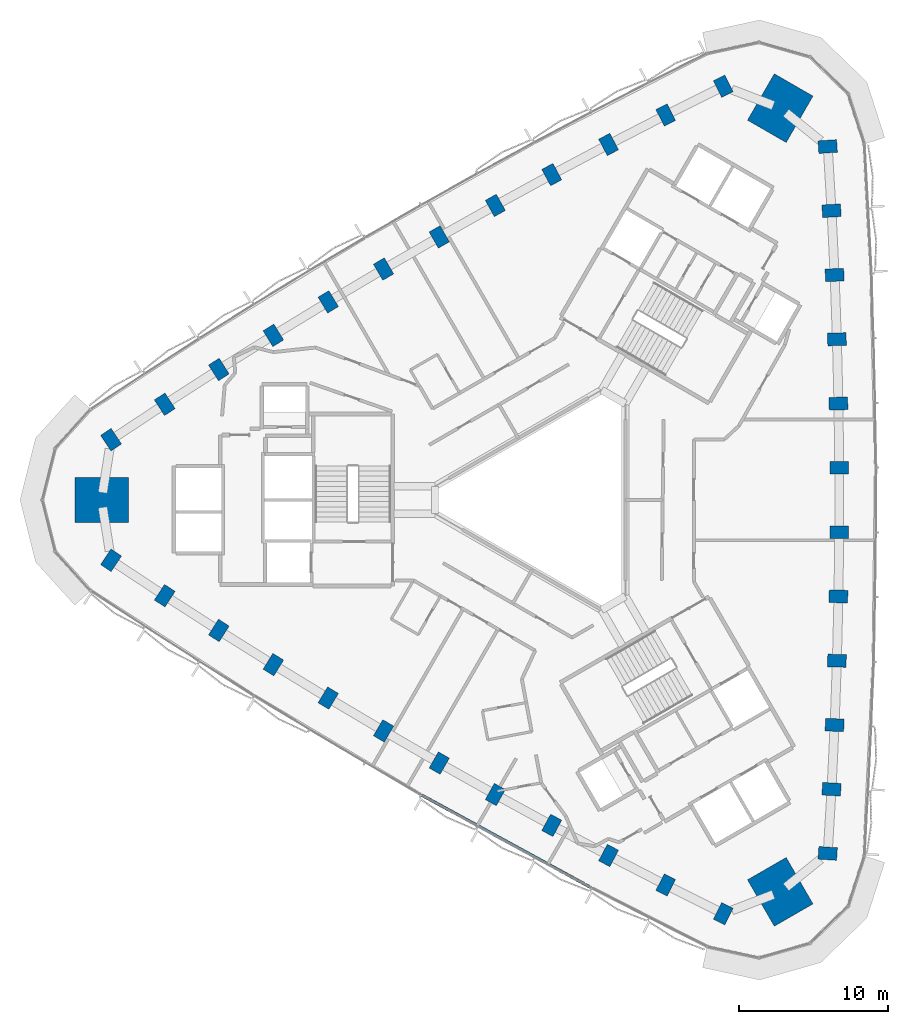
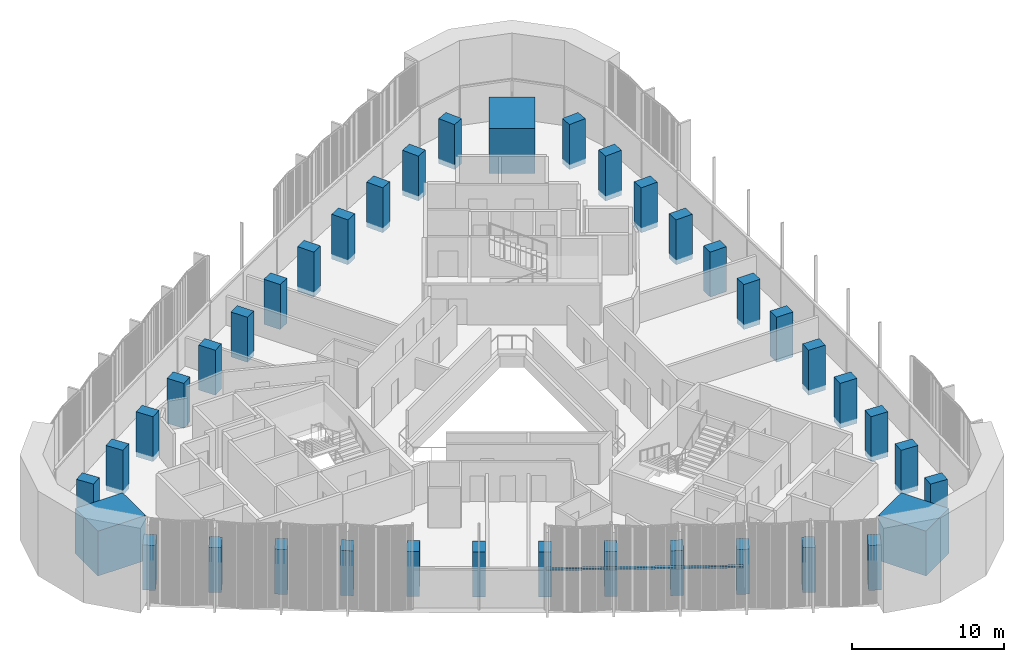
# One storey, part 1 of 14: 39 columns, 1 member, 1 element without a shape of its own.
"""IFC4 building model written with IfcOpenShell, lengths in metres."""

from ifc_helpers import new_model, si_unit, direction, frame, origin, origin_2d, place, context, subcontext, project, spatial, rectangle, extrude, material, material_profile, profile_set, type_object, element, aggregate, save


model = new_model("IFC4")

# Units and contexts
model_context = context("Model", 3, precision=1e-05, world=origin(), true_north=direction((0.0, 1.0)))
body_context = subcontext(model_context, "Body", "Model", "MODEL_VIEW")
ifc_project = project(units=[si_unit("LENGTHUNIT", "METRE"), si_unit("AREAUNIT", "SQUARE_METRE"), si_unit("VOLUMEUNIT", "CUBIC_METRE"), si_unit("PLANEANGLEUNIT", "RADIAN"), si_unit("MASSUNIT", "GRAM", prefix="KILO")], contexts=[model_context])

# Site, building, storey
site_placement = place(None, origin())
site = spatial("IfcSite", under=ifc_project, at=site_placement, CompositionType="ELEMENT")
building_placement = place(site_placement, origin())
building = spatial("IfcBuilding", under=site, at=building_placement, Name="Tamra Quay Hotel Tower", CompositionType="ELEMENT")
storey_placement = place(building_placement, frame((0.0, 0.0, 139.60009765625)))
storey = spatial("IfcBuildingStorey", under=building, at=storey_placement, Name="L34", CompositionType="ELEMENT", Elevation=139.60009765625)

# Columns
ifc_material_1 = material(Name="Concrete M70", Category="concrete")
ifc_material_profile_1 = material_profile(ifc_material_1, rectangle(XDim=1.25, YDim=0.85009765625, at=origin_2d()), Name="COLUMN RC 850x1250 Z3")
ifc_profile_set_1 = profile_set([ifc_material_profile_1], Name="Concrete M70")
column_type_1 = type_object("IfcColumnType", Name="COLUMN RC 850x1250 Z3", PredefinedType="COLUMN", material=ifc_profile_set_1)
for number, where, z_axis, x_axis, name in (
    (1, (18.396728515625, -23.757080078125, -0.400146484375), (0.0, 0.0, 1.0), (-0.997857895766, 0.065418803553, 0.0), "COL-C3E01-L34"),
    (2, (18.654541015625, -19.4423828125, -0.400146484375), (0.0, 0.0, 1.0), (-0.998562324173, 0.053603029218, 0.0), "COL-C3E02-L34"),
    (3, (18.86083984375, -15.124267578125, -0.400146484375), (0.0, 0.0, 1.0), (-0.999109109653, 0.042201741775, 0.0), "COL-C3E03-L34"),
    (4, (19.015869140625, -10.8046875, -0.400146484375), (0.0, 0.0, 1.0), (-0.99955268585, 0.029906992649, 0.0), "COL-C3E04-L34"),
    (5, (19.119140625, -6.483642578125, -0.400146484375), (0.0, 0.0, 1.0), (-0.999845156469, 0.017597246518, 0.0), "COL-C3E05-L34"),
    (6, (19.1708984375, -2.1611328125, -0.400146484375), (0.0, 0.0, 1.0), (-0.999981031775, 0.006159227987, 0.0), "COL-C3E06-L34"),
    (7, (19.1708984375, 2.1611328125, -0.400146484375), (0.0, 0.0, 1.0), (0.999981031775, 0.006159227987, 0.0), "COL-C3E07-L34"),
    (8, (19.119140625, 6.483642578125, -0.400146484375), (0.0, 0.0, 1.0), (0.999845156469, 0.017597246518, 0.0), "COL-C3E08-L34"),
    (9, (19.015869140625, 10.8046875, -0.400146484375), (0.0, 0.0, 1.0), (0.99955268585, 0.029906992649, 0.0), "COL-C3E09-L34"),
    (10, (18.86083984375, 15.124267578125, -0.400146484375), (0.0, 0.0, 1.0), (0.999109109653, 0.042201741775, 0.0), "COL-C3E10-L34"),
    (11, (18.654541015625, 19.4423828125, -0.400146484375), (0.0, 0.0, 1.0), (0.998562324173, 0.053603029218, 0.0), "COL-C3E11-L34"),
    (12, (18.396728515625, 23.757080078125, -0.400146484375), (0.0, 0.0, 1.0), (0.997857895766, 0.065418803553, 0.0), "COL-C3E12-L34"),
    (13, (11.3759765625, 27.810546875, -0.400146484375), (0.0, 0.0, 1.0), (-0.44227460212, 0.896879688877, 0.0), "COL-C3NW01-L34"),
    (14, (7.51025390625, 25.87646484375, -0.400146484375), (0.0, 0.0, 1.0), (-0.452859577064, 0.891581854605, 0.0), "COL-C3NW02-L34"),
    (15, (3.66748046875, 23.896240234375, -0.400146484375), (0.0, 0.0, 1.0), (-0.463006774365, 0.886354740999, 0.0), "COL-C3NW03-L34"),
    (16, (-0.150634765625, 21.87060546875, -0.400146484375), (0.0, 0.0, 1.0), (-0.47387612754, 0.880591514692, 0.0), "COL-C3NW04-L34"),
    (17, (-3.944580078125, 19.799560546875, -0.400146484375), (0.0, 0.0, 1.0), (-0.484682915713, 0.874689928612, 0.0), "COL-C3NW05-L34"),
    (18, (-7.7138671875, 17.68310546875, -0.400146484375), (0.0, 0.0, 1.0), (-0.494656467983, 0.869088590813, 0.0), "COL-C3NW06-L34"),
    (19, (-11.45703125, 15.521728515625, -0.400146484375), (0.0, 0.0, 1.0), (-0.505324563792, 0.862929362827, 0.0), "COL-C3NW07-L34"),
    (20, (-15.174560546875, 13.31591796875, -0.400146484375), (0.0, 0.0, 1.0), (-0.515162240756, 0.857092682094, 0.0), "COL-C3NW08-L34"),
    (21, (-18.864990234375, 11.06591796875, -0.400146484375), (0.0, 0.0, 1.0), (-0.52567655831, 0.850684522043, 0.0), "COL-C3NW09-L34"),
    (22, (-22.528564453125, 8.771728515625, -0.400146484375), (0.0, 0.0, 1.0), (-0.536102335288, 0.844152999224, 0.0), "COL-C3NW10-L34"),
    (23, (-26.164794921875, 6.43408203125, -0.400146484375), (0.0, 0.0, 1.0), (-0.545702747109, 0.837978825387, 0.0), "COL-C3NW11-L34"),
    (24, (-29.772705078125, 4.053466796875, -0.400146484375), (0.0, 0.0, 1.0), (-0.555583293645, 0.831460885323, 0.0), "COL-C3NW12-L34"),
    (25, (-29.772705078125, -4.053466796875, -0.400146484375), (0.0, 0.0, 1.0), (0.555583293645, 0.831460885323, 0.0), "COL-C3SW01-L34"),
    (26, (-26.164794921875, -6.43408203125, -0.400146484375), (0.0, 0.0, 1.0), (0.545702747109, 0.837978825387, 0.0), "COL-C3SW02-L34"),
    (27, (-22.528564453125, -8.771728515625, -0.400146484375), (0.0, 0.0, 1.0), (0.536102335288, 0.844152999224, 0.0), "COL-C3SW03-L34"),
    (28, (-18.864990234375, -11.06591796875, -0.400146484375), (0.0, 0.0, 1.0), (0.52567655831, 0.850684522043, 0.0), "COL-C3SW04-L34"),
    (29, (-15.174560546875, -13.31591796875, -0.400146484375), (0.0, 0.0, 1.0), (0.515162240756, 0.857092682094, 0.0), "COL-C3SW05-L34"),
    (30, (-11.45703125, -15.521728515625, -0.400146484375), (0.0, 0.0, 1.0), (0.505324563792, 0.862929362827, 0.0), "COL-C3SW06-L34"),
    (31, (-7.7138671875, -17.68310546875, -0.400146484375), (0.0, 0.0, 1.0), (0.494656467983, 0.869088590813, 0.0), "COL-C3SW07-L34"),
    (32, (-3.944580078125, -19.799560546875, -0.400146484375), (0.0, 0.0, 1.0), (0.484682915713, 0.874689928612, 0.0), "COL-C3SW08-L34"),
    (33, (-0.150634765625, -21.87060546875, -0.400146484375), (0.0, 0.0, 1.0), (0.47387612754, 0.880591514692, 0.0), "COL-C3SW09-L34"),
    (34, (3.66748046875, -23.896240234375, -0.400146484375), (0.0, 0.0, 1.0), (0.463006774365, 0.886354740999, 0.0), "COL-C3SW10-L34"),
    (35, (7.51025390625, -25.87646484375, -0.400146484375), (0.0, 0.0, 1.0), (0.452859577064, 0.891581854605, 0.0), "COL-C3SW11-L34"),
    (36, (11.3759765625, -27.810546875, -0.400146484375), (0.0, 0.0, 1.0), (0.44227460212, 0.896879688877, 0.0), "COL-C3SW12-L34"),
):
    element("IfcColumn", number, at=place(storey_placement, frame(where, z_axis=z_axis, x_axis=x_axis)), inside=storey, type_object=column_type_1, Name=name, PredefinedType="COLUMN", context=body_context, shape_type="SweptSolid", body=[
        extrude(rectangle(XDim=1.25, YDim=0.85009765625, at=origin_2d()), origin(), (0.0, 0.0, 1.0), 3.60009765625),
    ])
ifc_material_profile_2 = material_profile(ifc_material_1, rectangle(XDim=3.60009765625, YDim=3.0, at=origin_2d()), Name="MEGA COLUMN RC 3000x3600 Z3")
ifc_profile_set_2 = profile_set([ifc_material_profile_2], Name="Concrete M70")
column_type_2 = type_object("IfcColumnType", Name="MEGA COLUMN RC 3000x3600 Z3", PredefinedType="COLUMN", material=ifc_profile_set_2)
for number, where, z_axis, x_axis, name in (
    (37, (15.20703125, 26.339599609375, -0.400146484375), (0.0, 0.0, 1.0), (0.5, 0.866025403784, 0.0), "COL-M3NE-L34"),
    (38, (-30.414306640625, 0.0, -0.400146484375), (0.0, 0.0, 1.0), (1.0, 0.0, 0.0), "COL-M3W-L34"),
    (39, (15.20703125, -26.339599609375, -0.400146484375), (0.0, 0.0, 1.0), (-0.5, 0.866025403784, 0.0), "COL-M3SE-L34"),
):
    element("IfcColumn", number, at=place(storey_placement, frame(where, z_axis=z_axis, x_axis=x_axis)), inside=storey, type_object=column_type_2, Name=name, PredefinedType="COLUMN", context=body_context, shape_type="SweptSolid", body=[
        extrude(rectangle(XDim=3.60009765625, YDim=3.0, at=origin_2d()), origin(), (0.0, 0.0, 1.0), 3.60009765625),
    ])

# Curtain wall, member
ifc_material_2 = material(Name="Aluminium 6063 anodised dark grey", Category="aluminium")
curtain_wall_type = type_object("IfcCurtainWallType", Name="CW3 CURTAIN WALL", PredefinedType="NOTDEFINED", material=ifc_material_2)
curtain_wall_placement = place(storey_placement, origin())
curtain_wall = element("IfcCurtainWall", 40, at=curtain_wall_placement, inside=storey, type_object=curtain_wall_type, Name="CW3 south-west face L34", PredefinedType="NOTDEFINED")
ifc_material_profile_3 = material_profile(ifc_material_2, rectangle(XDim=0.199951171875, YDim=0.139892578125, at=origin_2d()), Name="TRANSOM 200X140")
ifc_profile_set_3 = profile_set([ifc_material_profile_3], Name="Aluminium 6063 anodised dark grey")
member_type = type_object("IfcMemberType", Name="TRANSOM CW3 Z3", PredefinedType="USERDEFINED", material=ifc_profile_set_3)
member_placement = place(storey_placement, frame((-8.887451171875, -19.84619140625, 3.1298828125), z_axis=(0.877730603068, -0.479154451548, 0.0), x_axis=(0.479154451548, 0.877730603068, 0.0)))
member = element("IfcMember", 41, at=member_placement, type_object=member_type, Name="CW3 transom L34.SW.7", ObjectType="TRANSOM", PredefinedType="USERDEFINED", context=body_context, shape_type="SweptSolid", body=[
    extrude(rectangle(XDim=0.199951171875, YDim=0.139892578125, at=origin_2d()), origin(), (0.0, 0.0, 1.0), 12.95556640625),
])
aggregate(curtain_wall, [member])

save(model, "model.ifc")
